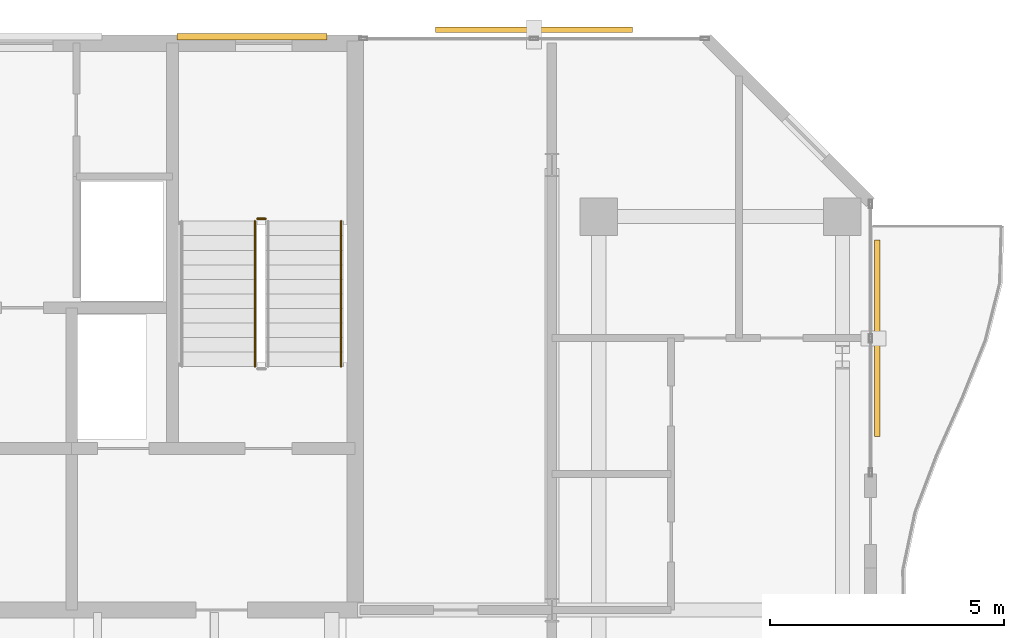
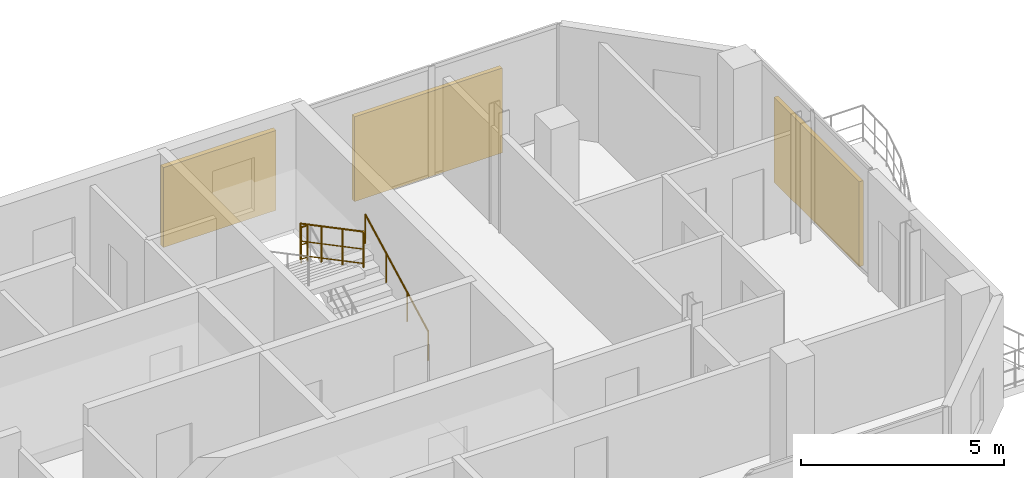
# One storey, part 23 of 23: 3 railings, 3 shading devices.
"""IFC4 building model written with IfcOpenShell, lengths in metres."""

from ifc_helpers import new_model, si_unit, direction, frame, origin, origin_2d, place, context, subcontext, project, spatial, rectangle, circle, extrude, material, type_object, element, save


model = new_model("IFC4")

# Units and contexts
model_context = context("Model", 3, precision=1e-05, world=origin(), true_north=direction((0.0, 1.0)))
body_context = subcontext(model_context, "Body", "Model", "MODEL_VIEW")
ifc_project = project(units=[si_unit("LENGTHUNIT", "METRE"), si_unit("AREAUNIT", "SQUARE_METRE"), si_unit("VOLUMEUNIT", "CUBIC_METRE"), si_unit("PLANEANGLEUNIT", "RADIAN"), si_unit("MASSUNIT", "GRAM", prefix="KILO")], contexts=[model_context])

# Site, building, storey
site_placement = place(None, origin())
site = spatial("IfcSite", under=ifc_project, at=site_placement, CompositionType="ELEMENT")
building_placement = place(site_placement, origin())
building = spatial("IfcBuilding", under=site, at=building_placement, Name="Catumbela Crestline Tower", CompositionType="ELEMENT")
storey_placement = place(building_placement, frame((0.0, 0.0, 168.6)))
storey = spatial("IfcBuildingStorey", under=building, at=storey_placement, Name="L43", CompositionType="ELEMENT", Elevation=168.6)

# Railings
ifc_material_1 = material(Name="Stainless steel EN 1.4401", Category="steel")
railing_type_1 = type_object("IfcRailingType", Name="RG-1100", PredefinedType="GUARDRAIL", material=ifc_material_1)
railing_1_placement = place(storey_placement, frame((38.09, 39.15, 1.8)))
element("IfcRailing", 1, at=railing_1_placement, inside=storey, type_object=railing_type_1, Name="L43 ST-02 stair guard 2", PredefinedType="GUARDRAIL", context=body_context, shape_type="SweptSolid", body=[
    extrude(circle(Radius=0.024, at=origin_2d()), frame((0.0, 0.0, 1.076), z_axis=(-1.0, 0.0, 0.0), x_axis=(0.0, -1.0, 0.0)), (0.0, 0.0, 1.0), 0.18),
    extrude(circle(Radius=0.0156, at=origin_2d()), frame((0.0, 0.0, 0.55), z_axis=(-1.0, 0.0, 0.0), x_axis=(0.0, -1.0, 0.0)), (0.0, 0.0, 1.0), 0.18),
    extrude(circle(Radius=0.0156, at=origin_2d()), frame((0.0, 0.0, 0.12), z_axis=(-1.0, 0.0, 0.0), x_axis=(0.0, -1.0, 0.0)), (0.0, 0.0, 1.0), 0.18),
    extrude(circle(Radius=0.021, at=origin_2d()), origin(), (0.0, 0.0, 1.0), 1.052),
    extrude(circle(Radius=0.021, at=origin_2d()), frame((-0.18, 0.0, 0.0)), (0.0, 0.0, 1.0), 1.052),
])
railing_2_placement = place(storey_placement, frame((37.86, 39.1, 1.9636)))
element("IfcRailing", 2, at=railing_2_placement, inside=storey, type_object=railing_type_1, Name="L43 ST-02 stair guard 3", PredefinedType="GUARDRAIL", context=body_context, shape_type="SweptSolid", body=[
    extrude(circle(Radius=0.024, at=origin_2d()), frame((0.0, 0.0, 1.076), z_axis=(0.0, -0.884350731049, 0.466823076222), x_axis=(1.0, 0.0, 0.0)), (0.0, 0.0, 1.0), 3.5054),
    extrude(circle(Radius=0.0156, at=origin_2d()), frame((0.0, 0.0, 0.55), z_axis=(0.0, -0.884350731049, 0.466823076222), x_axis=(1.0, 0.0, 0.0)), (0.0, 0.0, 1.0), 3.5054),
    extrude(circle(Radius=0.0156, at=origin_2d()), frame((0.0, 0.0, 0.12), z_axis=(0.0, -0.884350731049, 0.466823076222), x_axis=(1.0, 0.0, 0.0)), (0.0, 0.0, 1.0), 3.5054),
    extrude(circle(Radius=0.021, at=origin_2d()), origin(), (0.0, 0.0, 1.0), 1.052),
    extrude(circle(Radius=0.021, at=origin_2d()), frame((0.0, -1.0333, 0.5455)), (0.0, 0.0, 1.0), 1.052),
    extrude(circle(Radius=0.021, at=origin_2d()), frame((0.0, -2.0667, 1.0909)), (0.0, 0.0, 1.0), 1.052),
    extrude(circle(Radius=0.021, at=origin_2d()), frame((0.0, -3.1, 1.6364)), (0.0, 0.0, 1.0), 1.052),
])
railing_type_2 = type_object("IfcRailingType", Name="RH-0900", PredefinedType="HANDRAIL", material=ifc_material_1)
railing_3_placement = place(storey_placement, frame((39.7, 36.0, 0.1636)))
element("IfcRailing", 3, at=railing_3_placement, inside=storey, type_object=railing_type_2, Name="L43 ST-02 stair handrail 1", PredefinedType="HANDRAIL", context=body_context, shape_type="SweptSolid", body=[
    extrude(circle(Radius=0.024, at=origin_2d()), frame((0.0, 0.0, 0.876), z_axis=(0.0, 0.884350731049, 0.466823076222), x_axis=(-1.0, 0.0, 0.0)), (0.0, 0.0, 1.0), 3.5054),
    extrude(circle(Radius=0.021, at=origin_2d()), origin(), (0.0, 0.0, 1.0), 0.852),
    extrude(circle(Radius=0.021, at=origin_2d()), frame((0.0, 1.0333, 0.5455)), (0.0, 0.0, 1.0), 0.852),
    extrude(circle(Radius=0.021, at=origin_2d()), frame((0.0, 2.0667, 1.0909)), (0.0, 0.0, 1.0), 0.852),
    extrude(circle(Radius=0.021, at=origin_2d()), frame((0.0, 3.1, 1.6364)), (0.0, 0.0, 1.0), 0.852),
])

# Shading devices
ifc_material_2 = material(Name="Extruded terracotta ceramic", Category="masonry")
shading_device_type_1 = type_object("IfcShadingDeviceType", Name="ST-260", PredefinedType="USERDEFINED", material=ifc_material_2)
shading_device_1_placement = place(storey_placement, frame((51.143, 36.6, -0.1), z_axis=(0.0, 0.0, 1.0), x_axis=(0.0, 1.0, 0.0)))
element("IfcShadingDevice", 4, at=shading_device_1_placement, inside=storey, type_object=shading_device_type_1, Name="L43 Perforated Terracotta Solar Screen 486 (260 mm)", ObjectType="SCREEN", PredefinedType="USERDEFINED", context=body_context, shape_type="SweptSolid", body=[
    extrude(rectangle(XDim=4.2, YDim=0.12, at=origin_2d()), origin(), (0.0, 0.0, 1.0), 2.55),
])
shading_device_type_2 = type_object("IfcShadingDeviceType", Name="ST-340", PredefinedType="USERDEFINED", material=ifc_material_2)
shading_device_2_placement = place(storey_placement, frame((37.8, 43.04, 0.55), z_axis=(0.0, 0.0, 1.0), x_axis=(1.0, 0.0, 0.0)))
element("IfcShadingDevice", 5, at=shading_device_2_placement, inside=storey, type_object=shading_device_type_2, Name="L43 Rear Core Terracotta Brise-Soleil Screen 479", ObjectType="SCREEN", PredefinedType="USERDEFINED", context=body_context, shape_type="SweptSolid", body=[
    extrude(rectangle(XDim=3.2, YDim=0.14, at=origin_2d()), origin(), (0.0, 0.0, 1.0), 2.4),
])
shading_device_3_placement = place(storey_placement, frame((43.82, 43.187, -0.1), z_axis=(0.0, 0.0, 1.0), x_axis=(-1.0, 0.0, 0.0)))
element("IfcShadingDevice", 6, at=shading_device_3_placement, inside=storey, type_object=shading_device_type_2, Name="L43 Perforated Terracotta Solar Screen 487 (340 mm)", ObjectType="SCREEN", PredefinedType="USERDEFINED", context=body_context, shape_type="SweptSolid", body=[
    extrude(rectangle(XDim=4.2, YDim=0.12, at=origin_2d()), origin(), (0.0, 0.0, 1.0), 2.55),
])

save(model, "model.ifc")
